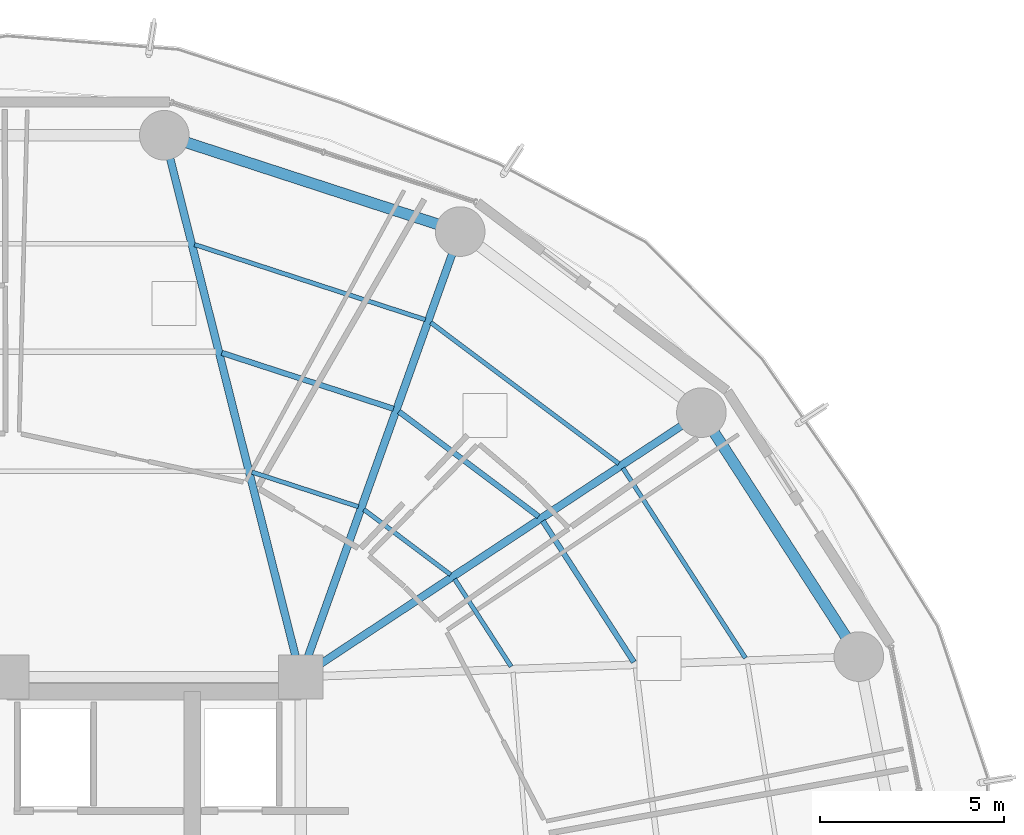
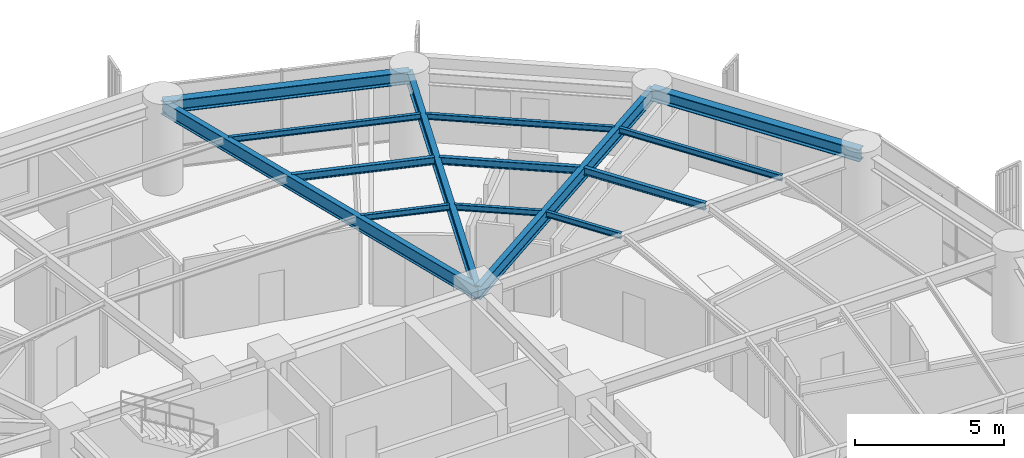
# One storey, part 24 of 35: 14 beams.
"""IFC4 building model written with IfcOpenShell, lengths in metres."""

from ifc_helpers import new_model, si_unit, direction, frame, origin, origin_2d, place, context, subcontext, project, spatial, i_section, extrude, material, material_profile, profile_set, type_object, element, save


model = new_model("IFC4")

# Units and contexts
model_context = context("Model", 3, precision=1e-05, world=origin(), true_north=direction((0.0, 1.0)))
body_context = subcontext(model_context, "Body", "Model", "MODEL_VIEW")
ifc_project = project(units=[si_unit("LENGTHUNIT", "METRE"), si_unit("AREAUNIT", "SQUARE_METRE"), si_unit("VOLUMEUNIT", "CUBIC_METRE"), si_unit("PLANEANGLEUNIT", "RADIAN"), si_unit("MASSUNIT", "GRAM", prefix="KILO")], contexts=[model_context])

# Site, building, storey
site_placement = place(None, origin())
site = spatial("IfcSite", under=ifc_project, at=site_placement, CompositionType="ELEMENT")
building_placement = place(site_placement, origin())
building = spatial("IfcBuilding", under=site, at=building_placement, Name="Kelanora Arch Commons", CompositionType="ELEMENT")
storey_placement = place(building_placement, frame((0.0, 0.0, 117.60009765625)))
storey = spatial("IfcBuildingStorey", under=building, at=storey_placement, Name="L30", CompositionType="ELEMENT", Elevation=117.60009765625)

# Beams
ifc_material = material(Name="Steel S355", Category="steel")
ifc_material_profile_1 = material_profile(ifc_material, i_section(OverallWidth=0.14990234375, OverallDepth=0.300048828125, WebThickness=0.007080078125, FlangeThickness=0.0107421875, FilletRadius=0.014892578125, at=origin_2d()), Name="IPE300")
ifc_profile_set_1 = profile_set([ifc_material_profile_1], Name="Steel S355")
beam_type_1 = type_object("IfcBeamType", Name="BM-JST-01", PredefinedType="JOIST", material=ifc_profile_set_1)
beam_1_placement = place(storey_placement, frame((91.06884765625, 65.402587890625, 3.33984375), z_axis=(-0.542230243286, 0.840229946661, 0.0), x_axis=(-0.840229946661, -0.542230243286, 0.0)))
element("IfcBeam", 1, at=beam_1_placement, inside=storey, type_object=beam_type_1, Name="Secondary Chord Joist BJB-02 L30", PredefinedType="JOIST", context=body_context, shape_type="SweptSolid", body=[
    extrude(i_section(OverallWidth=0.14990234375, OverallDepth=0.300048828125, WebThickness=0.007080078125, FlangeThickness=0.0107421875, FilletRadius=0.014892578125, at=origin_2d()), origin(), (0.0, 0.0, 1.0), 4.572265625),
])
beam_2_placement = place(storey_placement, frame((88.4755859375, 69.36669921875, 3.33984375), z_axis=(-0.79971039107, 0.600385951214, 0.0), x_axis=(-0.600385951214, -0.79971039107, 0.0)))
element("IfcBeam", 2, at=beam_2_placement, inside=storey, type_object=beam_type_1, Name="Secondary Chord Joist BJB-04 L30", PredefinedType="JOIST", context=body_context, shape_type="SweptSolid", body=[
    extrude(i_section(OverallWidth=0.14990234375, OverallDepth=0.300048828125, WebThickness=0.007080078125, FlangeThickness=0.0107421875, FilletRadius=0.014892578125, at=origin_2d()), origin(), (0.0, 0.0, 1.0), 4.756103515625),
])
beam_3_placement = place(storey_placement, frame((84.523193359375, 72.29931640625, 3.33984375), z_axis=(-0.950857140254, 0.309629938521, 0.0), x_axis=(-0.309629938521, -0.950857140254, 0.0)))
element("IfcBeam", 3, at=beam_3_placement, inside=storey, type_object=beam_type_1, Name="Secondary Chord Joist BJB-06 L30", PredefinedType="JOIST", context=body_context, shape_type="SweptSolid", body=[
    extrude(i_section(OverallWidth=0.14990234375, OverallDepth=0.300048828125, WebThickness=0.007080078125, FlangeThickness=0.0107421875, FilletRadius=0.014892578125, at=origin_2d()), origin(), (0.0, 0.0, 1.0), 4.912353515625),
])
ifc_material_profile_2 = material_profile(ifc_material, i_section(OverallWidth=0.1201171875, OverallDepth=0.239990234375, WebThickness=0.006103515625, FlangeThickness=0.009765625, FilletRadius=0.014892578125, at=origin_2d()), Name="IPE240")
ifc_profile_set_2 = profile_set([ifc_material_profile_2], Name="Steel S355")
beam_type_2 = type_object("IfcBeamType", Name="BM-JST-02", PredefinedType="JOIST", material=ifc_profile_set_2)
beam_4_placement = place(storey_placement, frame((87.726806640625, 65.281005859375, 3.369873046875), z_axis=(-0.542211255502, 0.840242199849, 0.0), x_axis=(-0.840242199849, -0.542211255502, 0.0)))
element("IfcBeam", 4, at=beam_4_placement, inside=storey, type_object=beam_type_2, Name="Secondary Chord Joist BJA-02 L30", PredefinedType="JOIST", context=body_context, shape_type="SweptSolid", body=[
    extrude(i_section(OverallWidth=0.1201171875, OverallDepth=0.239990234375, WebThickness=0.006103515625, FlangeThickness=0.009765625, FilletRadius=0.014892578125, at=origin_2d()), origin(), (0.0, 0.0, 1.0), 2.83349609375),
])
beam_5_placement = place(storey_placement, frame((94.107177734375, 65.512939453125, 3.369873046875), z_axis=(-0.542212726273, 0.840241250754, 0.0), x_axis=(-0.840241250754, -0.542212726273, 0.0)))
element("IfcBeam", 5, at=beam_5_placement, inside=storey, type_object=beam_type_2, Name="Secondary Chord Joist BJC-02 L30", PredefinedType="JOIST", context=body_context, shape_type="SweptSolid", body=[
    extrude(i_section(OverallWidth=0.1201171875, OverallDepth=0.239990234375, WebThickness=0.006103515625, FlangeThickness=0.009765625, FilletRadius=0.014892578125, at=origin_2d()), origin(), (0.0, 0.0, 1.0), 6.15283203125),
])
beam_6_placement = place(storey_placement, frame((86.076416015625, 67.7841796875, 3.369873046875), z_axis=(-0.799692034361, 0.600410401458, 0.0), x_axis=(-0.600410401458, -0.799692034361, 0.0)))
element("IfcBeam", 6, at=beam_6_placement, inside=storey, type_object=beam_type_2, Name="Secondary Chord Joist BJA-04 L30", PredefinedType="JOIST", context=body_context, shape_type="SweptSolid", body=[
    extrude(i_section(OverallWidth=0.1201171875, OverallDepth=0.239990234375, WebThickness=0.006103515625, FlangeThickness=0.009765625, FilletRadius=0.014892578125, at=origin_2d()), origin(), (0.0, 0.0, 1.0), 2.949951171875),
])
beam_7_placement = place(storey_placement, frame((90.65673828125, 70.805419921875, 3.369873046875), z_axis=(-0.799734335646, 0.600354055861, 0.0), x_axis=(-0.600354055861, -0.799734335646, 0.0)))
element("IfcBeam", 7, at=beam_7_placement, inside=storey, type_object=beam_type_2, Name="Secondary Chord Joist BJC-04 L30", PredefinedType="JOIST", context=body_context, shape_type="SweptSolid", body=[
    extrude(i_section(OverallWidth=0.1201171875, OverallDepth=0.239990234375, WebThickness=0.006103515625, FlangeThickness=0.009765625, FilletRadius=0.014892578125, at=origin_2d()), origin(), (0.0, 0.0, 1.0), 6.39794921875),
])
beam_8_placement = place(storey_placement, frame((83.568359375, 69.632568359375, 3.369873046875), z_axis=(-0.950846758946, 0.309661817151, 0.0), x_axis=(-0.309661817151, -0.950846758946, 0.0)))
element("IfcBeam", 8, at=beam_8_placement, inside=storey, type_object=beam_type_2, Name="Secondary Chord Joist BJA-06 L30", PredefinedType="JOIST", context=body_context, shape_type="SweptSolid", body=[
    extrude(i_section(OverallWidth=0.1201171875, OverallDepth=0.239990234375, WebThickness=0.006103515625, FlangeThickness=0.009765625, FilletRadius=0.014892578125, at=origin_2d()), origin(), (0.0, 0.0, 1.0), 3.048828125),
])
beam_9_placement = place(storey_placement, frame((85.39111328125, 74.723876953125, 3.369873046875), z_axis=(-0.950862829272, 0.309612467301, 0.0), x_axis=(-0.309612467301, -0.950862829272, 0.0)))
element("IfcBeam", 9, at=beam_9_placement, inside=storey, type_object=beam_type_2, Name="Secondary Chord Joist BJC-06 L30", PredefinedType="JOIST", context=body_context, shape_type="SweptSolid", body=[
    extrude(i_section(OverallWidth=0.1201171875, OverallDepth=0.239990234375, WebThickness=0.006103515625, FlangeThickness=0.009765625, FilletRadius=0.014892578125, at=origin_2d()), origin(), (0.0, 0.0, 1.0), 6.6064453125),
])
ifc_material_profile_3 = material_profile(ifc_material, i_section(OverallWidth=0.2099609375, OverallDepth=0.550048828125, WebThickness=0.010986328125, FlangeThickness=0.01708984375, FilletRadius=0.02392578125, at=origin_2d()), Name="IPE550")
ifc_profile_set_3 = profile_set([ifc_material_profile_3], Name="Steel S355")
beam_type_3 = type_object("IfcBeamType", Name="BM-RAD-Z2", PredefinedType="BEAM", material=ifc_profile_set_3)
beam_10_placement = place(storey_placement, frame((82.0, 65.0, 3.21484375), z_axis=(0.834788577908, 0.550570640512, 0.0), x_axis=(-0.550570640512, 0.834788577908, 0.0)))
element("IfcBeam", 10, at=beam_10_placement, inside=storey, type_object=beam_type_3, Name="Radial Floor Girder BR-04 L30", PredefinedType="BEAM", context=body_context, shape_type="SweptSolid", body=[
    extrude(i_section(OverallWidth=0.2099609375, OverallDepth=0.550048828125, WebThickness=0.010986328125, FlangeThickness=0.01708984375, FilletRadius=0.02392578125, at=origin_2d()), origin(), (0.0, 0.0, 1.0), 13.064453125),
])
beam_11_placement = place(storey_placement, frame((82.0, 65.0, 3.21484375), z_axis=(0.337084640008, 0.941474346687, 0.0), x_axis=(-0.941474346687, 0.337084640008, 0.0)))
element("IfcBeam", 11, at=beam_11_placement, inside=storey, type_object=beam_type_3, Name="Radial Floor Girder BR-06 L30", PredefinedType="BEAM", context=body_context, shape_type="SweptSolid", body=[
    extrude(i_section(OverallWidth=0.2099609375, OverallDepth=0.550048828125, WebThickness=0.010986328125, FlangeThickness=0.01708984375, FilletRadius=0.02392578125, at=origin_2d()), origin(), (0.0, 0.0, 1.0), 12.875244140625),
])
beam_12_placement = place(storey_placement, frame((82.0, 65.0, 3.21484375), z_axis=(-0.244280647475, 0.969704576286, 0.0), x_axis=(-0.969704576286, -0.244280647475, 0.0)))
element("IfcBeam", 12, at=beam_12_placement, inside=storey, type_object=beam_type_3, Name="Radial Floor Girder BR-08 L30", PredefinedType="BEAM", context=body_context, shape_type="SweptSolid", body=[
    extrude(i_section(OverallWidth=0.2099609375, OverallDepth=0.550048828125, WebThickness=0.010986328125, FlangeThickness=0.01708984375, FilletRadius=0.02392578125, at=origin_2d()), origin(), (0.0, 0.0, 1.0), 15.205322265625),
])
ifc_material_profile_4 = material_profile(ifc_material, i_section(OverallWidth=0.300048828125, OverallDepth=0.5, WebThickness=0.014404296875, FlangeThickness=0.028076171875, FilletRadius=0.027099609375, at=origin_2d()), Name="HEB500")
ifc_profile_set_4 = profile_set([ifc_material_profile_4], Name="Steel S355")
beam_type_4 = type_object("IfcBeamType", Name="BM-SPN-Z2", PredefinedType="SPANDREL", material=ifc_profile_set_4)
beam_13_placement = place(storey_placement, frame((97.191650390625, 65.5517578125, 3.239990234375), z_axis=(-0.542221144054, 0.840235818649, 0.0), x_axis=(-0.840235818649, -0.542221144054, 0.0)))
element("IfcBeam", 13, at=beam_13_placement, inside=storey, type_object=beam_type_4, Name="Perimeter Spandrel Beam BS-02 L30", PredefinedType="SPANDREL", context=body_context, shape_type="SweptSolid", body=[
    extrude(i_section(OverallWidth=0.300048828125, OverallDepth=0.5, WebThickness=0.014404296875, FlangeThickness=0.028076171875, FilletRadius=0.027099609375, at=origin_2d()), origin(), (0.0, 0.0, 1.0), 7.90380859375),
])
beam_14_placement = place(storey_placement, frame((86.340087890625, 77.121826171875, 3.239990234375), z_axis=(-0.950856631974, 0.309631499418, 0.0), x_axis=(-0.309631499418, -0.950856631974, 0.0)))
element("IfcBeam", 14, at=beam_14_placement, inside=storey, type_object=beam_type_4, Name="Perimeter Spandrel Beam BS-06 L30", PredefinedType="SPANDREL", context=body_context, shape_type="SweptSolid", body=[
    extrude(i_section(OverallWidth=0.300048828125, OverallDepth=0.5, WebThickness=0.014404296875, FlangeThickness=0.028076171875, FilletRadius=0.027099609375, at=origin_2d()), origin(), (0.0, 0.0, 1.0), 8.470703125),
])

save(model, "model.ifc")
